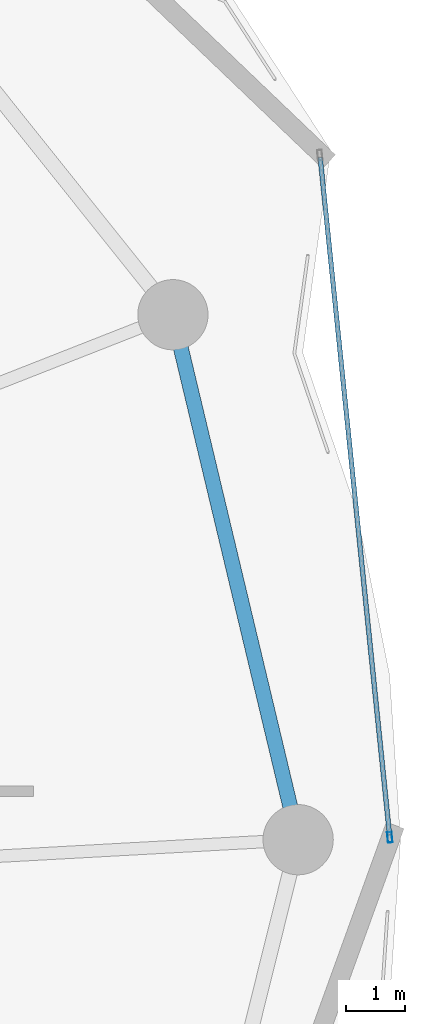
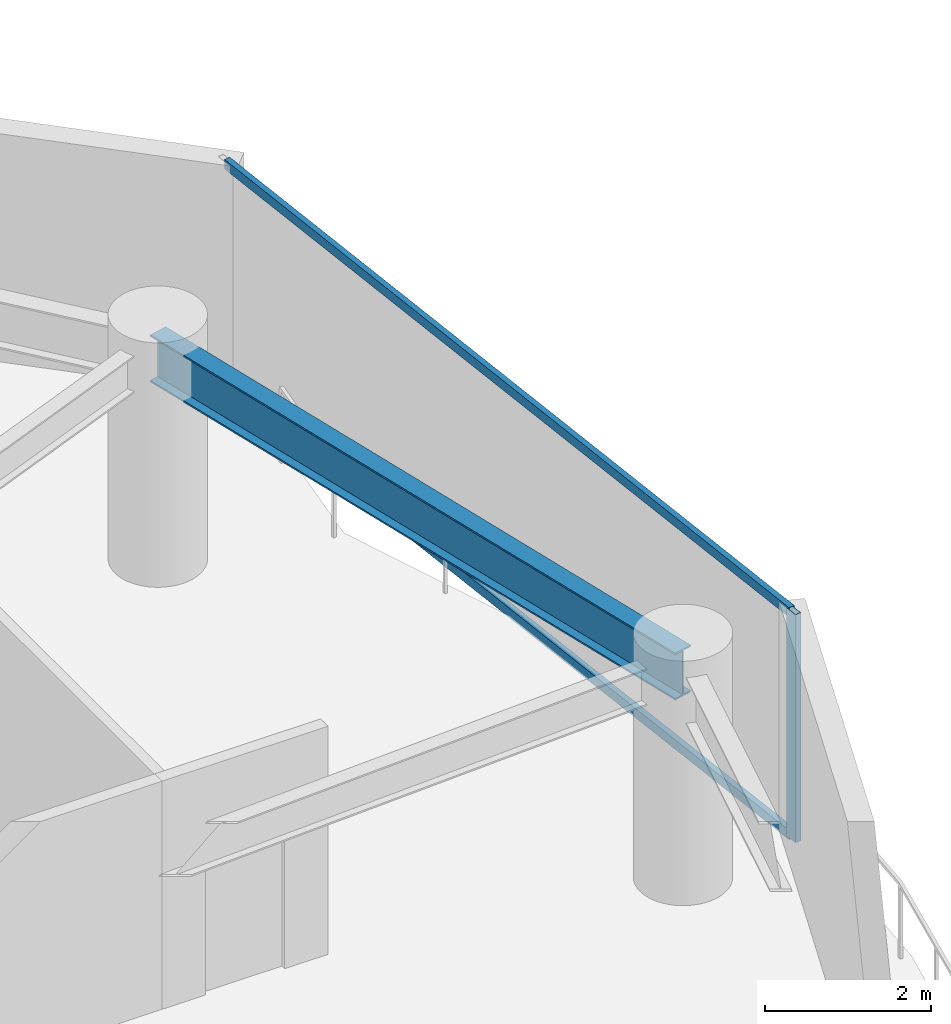
# One storey, part 15 of 31: 3 members, 1 beam, 1 element without a shape of its own.
"""IFC4 building model written with IfcOpenShell, lengths in metres."""

from ifc_helpers import new_model, si_unit, direction, frame, origin, origin_2d, place, context, subcontext, project, spatial, hollow_rectangle, i_section, extrude, material, layer, layer_set, material_profile, profile_set, type_object, element, aggregate, save


model = new_model("IFC4")

# Units and contexts
model_context = context("Model", 3, precision=1e-05, world=origin(), true_north=direction((0.0, 1.0)))
body_context = subcontext(model_context, "Body", "Model", "MODEL_VIEW")
ifc_project = project(units=[si_unit("LENGTHUNIT", "METRE"), si_unit("AREAUNIT", "SQUARE_METRE"), si_unit("VOLUMEUNIT", "CUBIC_METRE"), si_unit("PLANEANGLEUNIT", "RADIAN"), si_unit("MASSUNIT", "GRAM", prefix="KILO")], contexts=[model_context])

# Site, building, storey
site_placement = place(None, origin())
site = spatial("IfcSite", under=ifc_project, at=site_placement, CompositionType="ELEMENT")
building_placement = place(site_placement, origin())
building = spatial("IfcBuilding", under=site, at=building_placement, Name="Kazevale Care Tower and Concert Hall", CompositionType="ELEMENT")
storey_placement = place(building_placement, frame((0.0, 0.0, 117.0)))
storey = spatial("IfcBuildingStorey", under=building, at=storey_placement, Name="L30", CompositionType="ELEMENT", Elevation=117.0)

# Curtain wall, members
ifc_material_1 = material(Name="Aluminium 6063-T6 and Low-E Glass", Category="aluminium")
ifc_layer = layer(ifc_material_1, 0.179931640625)
ifc_layer_set = layer_set([ifc_layer], Name="Aluminium 6063-T6 and Low-E Glass")
curtain_wall_type = type_object("IfcCurtainWallType", Name="Waist & Upper Residential Curtain Wall CW-4", PredefinedType="NOTDEFINED", material=ifc_layer_set)
curtain_wall_placement = place(storey_placement, origin())
curtain_wall = element("IfcCurtainWall", 1, at=curtain_wall_placement, inside=storey, type_object=curtain_wall_type, Name="cw:L30:f18", PredefinedType="NOTDEFINED")
ifc_material_2 = material(Name="Aluminium 6063-T6", Category="aluminium")
ifc_material_profile_1 = material_profile(ifc_material_2, hollow_rectangle(XDim=0.080078125, YDim=0.179931640625, WallThickness=0.0048828125, at=origin_2d()), Name="ALU80x180x5")
ifc_profile_set_1 = profile_set([ifc_material_profile_1], Name="Aluminium 6063-T6")
member_type_1 = type_object("IfcMemberType", Name="CW-4 Mullion ALU80x180x5", PredefinedType="MULLION", material=ifc_profile_set_1)
member_1_placement = place(storey_placement, frame((74.615966796875, 38.039794921875, 0.0), z_axis=(0.0, 0.0, 1.0), x_axis=(0.994797747326, 0.101869730126, 0.0)))
member_1 = element("IfcMember", 2, at=member_1_placement, type_object=member_type_1, Name="CW-4 mullion 2", PredefinedType="MULLION", context=body_context, shape_type="SweptSolid", body=[
    extrude(hollow_rectangle(XDim=0.080078125, YDim=0.179931640625, WallThickness=0.0048828125, at=origin_2d()), origin(), (0.0, 0.0, 1.0), 3.360107421875),
])
ifc_material_profile_2 = material_profile(ifc_material_2, hollow_rectangle(XDim=0.080078125, YDim=0.139892578125, WallThickness=0.00390625, at=origin_2d()), Name="ALU80x140x4")
ifc_profile_set_2 = profile_set([ifc_material_profile_2], Name="Aluminium 6063-T6")
member_type_2 = type_object("IfcMemberType", Name="CW-4 Transom ALU80x140x4", PredefinedType="USERDEFINED", material=ifc_profile_set_2)
member_2_placement = place(storey_placement, frame((73.42626953125, 49.658447265625, 0.0400390625), z_axis=(0.101856421, -0.994799110123, 0.0), x_axis=(0.994799110123, 0.101856421, 0.0)))
member_2 = element("IfcMember", 3, at=member_2_placement, type_object=member_type_2, Name="CW-4 transom 1.1", ObjectType="TRANSOM", PredefinedType="USERDEFINED", context=body_context, shape_type="SweptSolid", body=[
    extrude(hollow_rectangle(XDim=0.080078125, YDim=0.139892578125, WallThickness=0.00390625, at=origin_2d()), origin(), (0.0, 0.0, 1.0), 11.639404296875),
])
member_3_placement = place(storey_placement, frame((73.42626953125, 49.658447265625, 3.320068359375), z_axis=(0.101856421, -0.994799110123, 0.0), x_axis=(0.994799110123, 0.101856421, 0.0)))
member_3 = element("IfcMember", 4, at=member_3_placement, type_object=member_type_2, Name="CW-4 transom 1.2", ObjectType="TRANSOM", PredefinedType="USERDEFINED", context=body_context, shape_type="SweptSolid", body=[
    extrude(hollow_rectangle(XDim=0.080078125, YDim=0.139892578125, WallThickness=0.00390625, at=origin_2d()), origin(), (0.0, 0.0, 1.0), 11.639404296875),
])
aggregate(curtain_wall, [member_1, member_2, member_3])

# Beam
ifc_material_3 = material(Name="Steel ASTM A572 Gr 50", Category="steel")
ifc_material_profile_3 = material_profile(ifc_material_3, i_section(OverallWidth=0.256103515625, OverallDepth=0.693115234375, WebThickness=0.014404296875, FlangeThickness=0.023681640625, at=origin_2d()), Name="W690x170")
ifc_profile_set_3 = profile_set([ifc_material_profile_3], Name="Steel ASTM A572 Gr 50")
beam_type = type_object("IfcBeamType", Name="Waist Ring Beam W690x170", PredefinedType="BEAM", material=ifc_profile_set_3)
beam_placement = place(storey_placement, frame((73.050048828125, 38.0, 3.013427734375), z_axis=(-0.232075055882, 0.972697881378, 0.0), x_axis=(-0.972697881378, -0.232075055882, 0.0)))
element("IfcBeam", 5, at=beam_placement, inside=storey, type_object=beam_type, Name="beam:L30:ring:01", PredefinedType="BEAM", context=body_context, shape_type="SweptSolid", body=[
    extrude(i_section(OverallWidth=0.256103515625, OverallDepth=0.693115234375, WebThickness=0.014404296875, FlangeThickness=0.023681640625, at=origin_2d()), origin(), (0.0, 0.0, 1.0), 9.2216796875),
])

save(model, "model.ifc")
